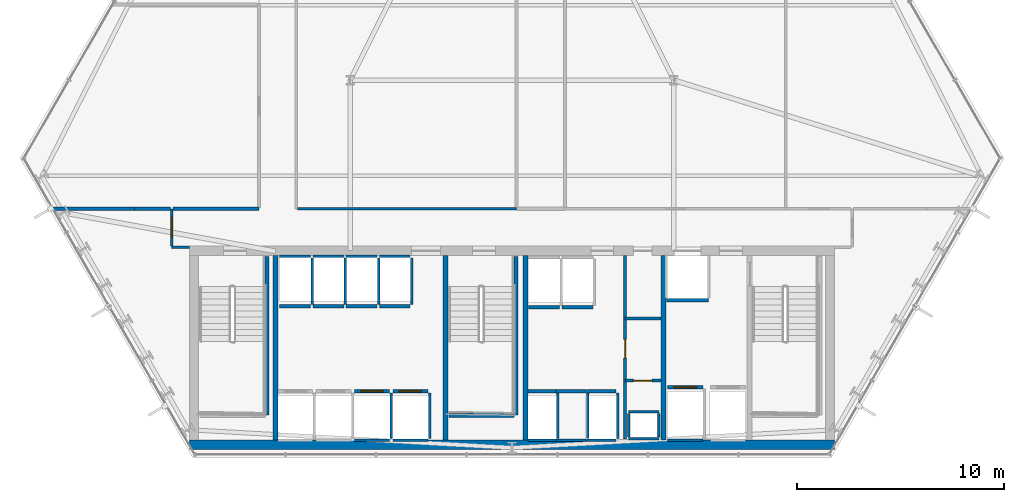
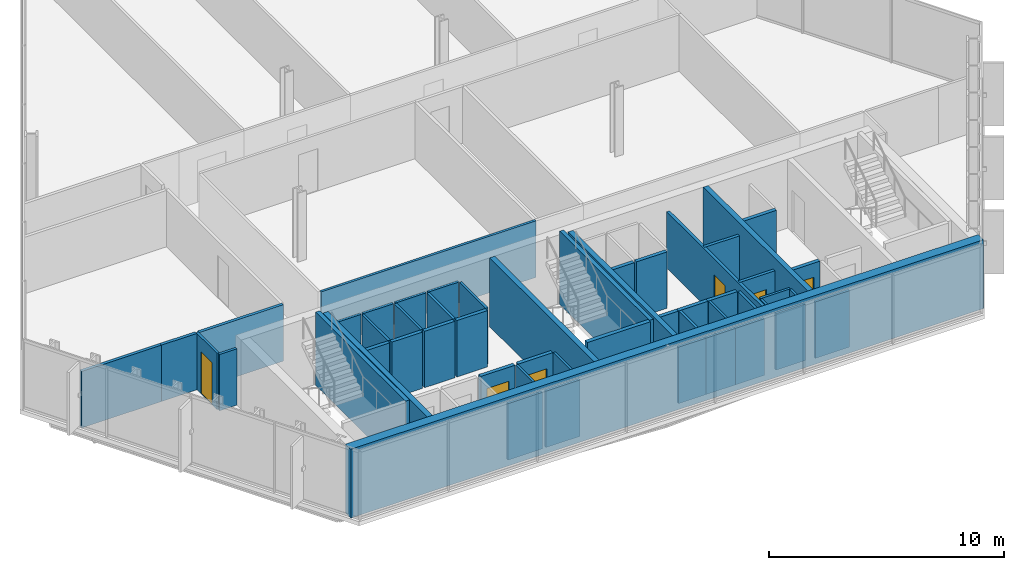
# One storey, part 27 of 33: 53 walls, 6 doors, 6 openings.
"""IFC4 building model written with IfcOpenShell, lengths in metres."""

from ifc_helpers import new_model, si_unit, direction, frame, frame_2d, origin, place, context, subcontext, project, spatial, rectangle, extrude, material, layer, layer_set, type_object, element, fill, save


model = new_model("IFC4")

# Units and contexts
model_context = context("Model", 3, precision=1e-05, world=origin(), true_north=direction((0.0, 1.0)))
body_context = subcontext(model_context, "Body", "Model", "MODEL_VIEW")
ifc_project = project(units=[si_unit("LENGTHUNIT", "METRE"), si_unit("AREAUNIT", "SQUARE_METRE"), si_unit("VOLUMEUNIT", "CUBIC_METRE"), si_unit("PLANEANGLEUNIT", "RADIAN"), si_unit("MASSUNIT", "GRAM", prefix="KILO")], contexts=[model_context])

# Site, building, storey
site_placement = place(None, origin())
site = spatial("IfcSite", under=ifc_project, at=site_placement, CompositionType="ELEMENT")
building_placement = place(site_placement, origin())
building = spatial("IfcBuilding", under=site, at=building_placement, Name="Ndaravel Arena Tower", CompositionType="ELEMENT")
storey_placement = place(building_placement, frame((0.0, 0.0, 39.800048828125)))
storey = spatial("IfcBuildingStorey", under=building, at=storey_placement, Name="L07", CompositionType="ELEMENT", Elevation=39.800048828125)

# Wall, opening, door
ifc_material_1 = material(Name="Gypsum", Category="gypsum")
ifc_layer_1 = layer(ifc_material_1, 0.14990234375)
ifc_layer_set_1 = layer_set([ifc_layer_1], Name="Gypsum")
wall_type_1 = type_object("IfcWallType", Name="WALL-COMP-150", PredefinedType="PARTITIONING", material=ifc_layer_set_1)
wall_1_placement = place(storey_placement, frame((47.449951171875, 5.89990234375, 0.0), z_axis=(0.0, 0.0, 1.0), x_axis=(0.0, 1.0, 0.0)))
wall_1 = element("IfcWall", 1, at=wall_1_placement, inside=storey, type_object=wall_type_1, Name="L07 Core Riser Bay Partition", PredefinedType="PARTITIONING", context=body_context, shape_type="SweptSolid", body=[
    extrude(rectangle(XDim=8.85009765625, YDim=0.14990234375, at=frame_2d((4.425048828125, 0.0))), origin(), (0.0, 0.0, 1.0), 2.932861328125),
])
opening_1_placement = place(wall_1_placement, frame((3.89990234375, 0.0, 0.0)))
opening_1 = element("IfcOpeningElement", 2, at=opening_1_placement, cuts=wall_1, Name="Opening RD-01", PredefinedType="OPENING", context=body_context, shape_type="SweptSolid", body=[
    extrude(rectangle(XDim=0.89990234375, YDim=2.10009765625, at=frame_2d((0.449951171875, 1.050048828125))), frame((0.0, 0.074951171875, 0.0), z_axis=(0.0, -1.0, 0.0), x_axis=(1.0, 0.0, 0.0)), (0.0, 0.0, 1.0), 0.14990234375),
])
ifc_material_2 = material(Name="Steel S355", Category="steel")
door_type_1 = type_object("IfcDoorType", Name="DT-08-RISER-900", OperationType="SINGLE_SWING_LEFT", PredefinedType="DOOR", material=ifc_material_2)
door_1_placement = place(opening_1_placement, origin())
door_1 = element("IfcDoor", 3, at=door_1_placement, inside=storey, type_object=door_type_1, Name="L07 Plumbing Riser Door", OperationType="SINGLE_SWING_LEFT", OverallHeight=2.10009765625, OverallWidth=0.89990234375, PredefinedType="DOOR", context=body_context, shape_type="SweptSolid", body=[
    extrude(rectangle(XDim=0.89990234375, YDim=2.10009765625, at=frame_2d((0.449951171875, 1.050048828125))), frame((0.0, 0.02490234375, 0.0), z_axis=(0.0, -1.0, 0.0), x_axis=(1.0, 0.0, 0.0)), (0.0, 0.0, 1.0), 0.050048828125),
])
fill(opening_1, door_1)

wall_2_placement = place(storey_placement, frame((47.449951171875, 8.719970703125, 0.0), z_axis=(0.0, 0.0, 1.0), x_axis=(1.0, 0.0, 0.0)))
wall_2 = element("IfcWall", 4, at=wall_2_placement, inside=storey, type_object=wall_type_1, Name="L07 Core Riser Divider 1", PredefinedType="PARTITIONING", context=body_context, shape_type="SweptSolid", body=[
    extrude(rectangle(XDim=1.72998046875, YDim=0.14990234375, at=frame_2d((0.864990234375, 0.0))), origin(), (0.0, 0.0, 1.0), 2.932861328125),
])
opening_2_placement = place(wall_2_placement, frame((0.39990234375, 0.0, 0.0)))
opening_2 = element("IfcOpeningElement", 5, at=opening_2_placement, cuts=wall_2, Name="Opening RD-01", PredefinedType="OPENING", context=body_context, shape_type="SweptSolid", body=[
    extrude(rectangle(XDim=0.89990234375, YDim=2.10009765625, at=frame_2d((0.449951171875, 1.050048828125))), frame((0.0, 0.074951171875, 0.0), z_axis=(0.0, -1.0, 0.0), x_axis=(1.0, 0.0, 0.0)), (0.0, 0.0, 1.0), 0.14990234375),
])
door_2_placement = place(opening_2_placement, origin())
door_2 = element("IfcDoor", 6, at=door_2_placement, inside=storey, type_object=door_type_1, Name="L07 Low-Voltage Riser Door", OperationType="SINGLE_SWING_RIGHT", OverallHeight=2.10009765625, OverallWidth=0.89990234375, PredefinedType="DOOR", context=body_context, shape_type="SweptSolid", body=[
    extrude(rectangle(XDim=0.89990234375, YDim=2.10009765625, at=frame_2d((0.449951171875, 1.050048828125))), frame((0.0, 0.02490234375, 0.0), z_axis=(0.0, -1.0, 0.0), x_axis=(1.0, 0.0, 0.0)), (0.0, 0.0, 1.0), 0.050048828125),
])
fill(opening_2, door_2)

# Walls
wall_3_placement = place(storey_placement, frame((47.449951171875, 11.719970703125, 0.0), z_axis=(0.0, 0.0, 1.0), x_axis=(1.0, 0.0, 0.0)))
element("IfcWall", 7, at=wall_3_placement, inside=storey, type_object=wall_type_1, Name="L07 Core Riser Divider 2", PredefinedType="PARTITIONING", context=body_context, shape_type="SweptSolid", body=[
    extrude(rectangle(XDim=1.72998046875, YDim=0.14990234375, at=frame_2d((0.864990234375, 0.0))), origin(), (0.0, 0.0, 1.0), 2.932861328125),
])
ifc_material_3 = material(Name="Concrete C60/75", Category="concrete")
ifc_layer_2 = layer(ifc_material_3, 0.25)
ifc_layer_set_2 = layer_set([ifc_layer_2], Name="Concrete C60/75")
wall_type_2 = type_object("IfcWallType", Name="WALL-CORE-250", PredefinedType="SOLIDWALL", material=ifc_layer_set_2)
for number, where, z_axis, x_axis, name in (
    (8, (30.60009765625, 5.85009765625, 0.0), (0.0, 0.0, 1.0), (0.0, 1.0, 0.0), "L07 Core Web Shear Wall 1"),
    (9, (38.800048828125, 5.85009765625, 0.0), (0.0, 0.0, 1.0), (0.0, 1.0, 0.0), "L07 Core Web Shear Wall 2"),
    (10, (42.64990234375, 5.85009765625, 0.0), (0.0, 0.0, 1.0), (0.0, 1.0, 0.0), "L07 Core Web Shear Wall 3"),
    (11, (49.300048828125, 5.85009765625, 0.0), (0.0, 0.0, 1.0), (0.0, 1.0, 0.0), "L07 Core Web Shear Wall 4"),
):
    element("IfcWall", number, at=place(storey_placement, frame(where, z_axis=z_axis, x_axis=x_axis)), inside=storey, type_object=wall_type_2, Name=name, PredefinedType="SOLIDWALL", context=body_context, shape_type="SweptSolid", body=[
        extrude(rectangle(XDim=8.89990234375, YDim=0.25, at=frame_2d((4.449951171875, 0.0))), origin(), (0.0, 0.0, 1.0), 3.579833984375),
    ])
ifc_material_4 = material(Name="Concrete C60/75", Category="concrete")
ifc_layer_3 = layer(ifc_material_4, 0.449951171875)
ifc_layer_set_3 = layer_set([ifc_layer_3], Name="Concrete C60/75")
wall_type_3 = type_object("IfcWallType", Name="WALL-CORE-450", PredefinedType="SOLIDWALL", material=ifc_layer_set_3)
wall_4_placement = place(storey_placement, frame((26.449951171875, 5.625, 0.0), z_axis=(0.0, 0.0, 1.0), x_axis=(1.0, 0.0, 0.0)))
element("IfcWall", 12, at=wall_4_placement, inside=storey, type_object=wall_type_3, Name="L07 Core South Shear Wall", PredefinedType="SOLIDWALL", context=body_context, shape_type="SweptSolid", body=[
    extrude(rectangle(XDim=31.10009765625, YDim=0.449951171875, at=frame_2d((15.550048828125, 0.0))), origin(), (0.0, 0.0, 1.0), 3.579833984375),
])
ifc_material_5 = material(Name="Gypsum", Category="gypsum")
ifc_layer_4 = layer(ifc_material_5, 0.125)
ifc_layer_set_4 = layer_set([ifc_layer_4], Name="Gypsum")
wall_type_4 = type_object("IfcWallType", Name="WALL-PART-125", PredefinedType="PARTITIONING", material=ifc_layer_set_4)
wall_5_placement = place(storey_placement, frame((26.449951171875, 15.14990234375, 0.0), z_axis=(0.0, 0.0, 1.0), x_axis=(-1.0, 0.0, 0.0)))
element("IfcWall", 13, at=wall_5_placement, inside=storey, type_object=wall_type_4, Name="L07 Interior Partition 003", PredefinedType="PARTITIONING", context=body_context, shape_type="SweptSolid", body=[
    extrude(rectangle(XDim=0.849853515625, YDim=0.125, at=frame_2d((0.4248046875, 0.0))), origin(), (0.0, 0.0, 1.0), 2.932861328125),
])

# Wall, opening, door
wall_6_placement = place(storey_placement, frame((25.60009765625, 15.215087890625, 0.0), z_axis=(0.0, 0.0, 1.0), x_axis=(0.0, 1.0, 0.0)))
wall_6 = element("IfcWall", 14, at=wall_6_placement, inside=storey, type_object=wall_type_4, Name="L07 Interior Partition 004", PredefinedType="PARTITIONING", context=body_context, shape_type="SweptSolid", body=[
    extrude(rectangle(XDim=1.784912109375, YDim=0.125, at=frame_2d((0.892578125, 0.0))), origin(), (0.0, 0.0, 1.0), 2.932861328125),
])
opening_3_placement = place(wall_6_placement, frame((0.41748046875, 0.0, 0.0)))
opening_3 = element("IfcOpeningElement", 15, at=opening_3_placement, cuts=wall_6, Name="Opening ID-01", PredefinedType="OPENING", context=body_context, shape_type="SweptSolid", body=[
    extrude(rectangle(XDim=0.949951171875, YDim=2.199951171875, at=frame_2d((0.47509765625, 1.10009765625))), frame((0.0, 0.0625, 0.0), z_axis=(0.0, -1.0, 0.0), x_axis=(1.0, 0.0, 0.0)), (0.0, 0.0, 1.0), 0.125),
])
ifc_material_6 = material(Name="Timber", Category="wood")
door_type_2 = type_object("IfcDoorType", Name="DT-03-OFFICE-950", OperationType="SINGLE_SWING_LEFT", PredefinedType="DOOR", material=ifc_material_6)
door_3_placement = place(opening_3_placement, origin())
door_3 = element("IfcDoor", 16, at=door_3_placement, inside=storey, type_object=door_type_2, Name="L07 Open Plan Workplace Door", OperationType="SINGLE_SWING_RIGHT", OverallHeight=2.199951171875, OverallWidth=0.949951171875, PredefinedType="DOOR", context=body_context, shape_type="SweptSolid", body=[
    extrude(rectangle(XDim=0.949951171875, YDim=2.199951171875, at=frame_2d((0.47509765625, 1.10009765625))), frame((0.0, 0.02490234375, 0.0), z_axis=(0.0, -1.0, 0.0), x_axis=(1.0, 0.0, 0.0)), (0.0, 0.0, 1.0), 0.050048828125),
])
fill(opening_3, door_3)

# Walls
wall_7_placement = place(storey_placement, frame((31.6650390625, 17.0, 0.0), z_axis=(0.0, 0.0, 1.0), x_axis=(1.0, 0.0, 0.0)))
element("IfcWall", 17, at=wall_7_placement, inside=storey, type_object=wall_type_4, Name="L07 Interior Partition 018", PredefinedType="PARTITIONING", context=body_context, shape_type="SweptSolid", body=[
    extrude(rectangle(XDim=10.554931640625, YDim=0.125, at=frame_2d((5.27734375, 0.0))), origin(), (0.0, 0.0, 1.0), 2.932861328125),
])
ifc_material_7 = material(Name="Concrete C40/50", Category="concrete")
ifc_layer_5 = layer(ifc_material_7, 0.1201171875)
ifc_layer_set_5 = layer_set([ifc_layer_5], Name="Concrete C40/50")
wall_type_5 = type_object("IfcWallType", Name="WALL-SHAFT-120", PredefinedType="SOLIDWALL", material=ifc_layer_set_5)
for number, where, z_axis, x_axis, name in (
    (18, (47.6201171875, 5.919921875, 0.0), (0.0, 0.0, 1.0), (1.0, 0.0, 0.0), "L07 MEP Riser Shaft S Wall"),
    (19, (47.6201171875, 7.219970703125, 0.0), (0.0, 0.0, 1.0), (1.0, 0.0, 0.0), "L07 MEP Riser Shaft N Wall"),
):
    element("IfcWall", number, at=place(storey_placement, frame(where, z_axis=z_axis, x_axis=x_axis)), inside=storey, type_object=wall_type_5, Name=name, PredefinedType="SOLIDWALL", context=body_context, shape_type="SweptSolid", body=[
        extrude(rectangle(XDim=1.4599609375, YDim=0.1201171875, at=frame_2d((0.72998046875, 0.0))), origin(), (0.0, 0.0, 1.0), 2.932861328125),
    ])
for number, where, z_axis, x_axis, name in (
    (20, (47.6201171875, 6.0, 0.0), (0.0, 0.0, 1.0), (0.0, 1.0, 0.0), "L07 MEP Riser Shaft W Wall"),
    (21, (49.080078125, 6.0, 0.0), (0.0, 0.0, 1.0), (0.0, 1.0, 0.0), "L07 MEP Riser Shaft E Wall"),
):
    element("IfcWall", number, at=place(storey_placement, frame(where, z_axis=z_axis, x_axis=x_axis)), inside=storey, type_object=wall_type_5, Name=name, PredefinedType="SOLIDWALL", context=body_context, shape_type="SweptSolid", body=[
        extrude(rectangle(XDim=1.139892578125, YDim=0.1201171875, at=frame_2d((0.56982421875, 0.0))), origin(), (0.0, 0.0, 1.0), 2.932861328125),
    ])
wall_8_placement = place(storey_placement, frame((34.405029296875, 5.840087890625, 0.0), z_axis=(0.0, 0.0, 1.0), x_axis=(1.0, 0.0, 0.0)))
element("IfcWall", 22, at=wall_8_placement, inside=storey, type_object=wall_type_5, Name="L07 PL-L3 Shaft Rear Wall", PredefinedType="SOLIDWALL", context=body_context, shape_type="SweptSolid", body=[
    extrude(rectangle(XDim=1.68994140625, YDim=0.1201171875, at=frame_2d((0.844970703125, 0.0))), origin(), (0.0, 0.0, 1.0), 2.932861328125),
])
wall_9_placement = place(storey_placement, frame((36.175048828125, 5.929931640625, 0.0), z_axis=(0.0, 0.0, 1.0), x_axis=(0.0, 1.0, 0.0)))
element("IfcWall", 23, at=wall_9_placement, inside=storey, type_object=wall_type_5, Name="L07 PL-L3 Shaft Side R Wall", PredefinedType="SOLIDWALL", context=body_context, shape_type="SweptSolid", body=[
    extrude(rectangle(XDim=2.18017578125, YDim=0.1201171875, at=frame_2d((1.090087890625, 0.0))), origin(), (0.0, 0.0, 1.0), 2.932861328125),
])
wall_10_placement = place(storey_placement, frame((36.2548828125, 5.840087890625, 0.0), z_axis=(0.0, 0.0, 1.0), x_axis=(1.0, 0.0, 0.0)))
element("IfcWall", 24, at=wall_10_placement, inside=storey, type_object=wall_type_5, Name="L07 PL-L4 Shaft Rear Wall", PredefinedType="SOLIDWALL", context=body_context, shape_type="SweptSolid", body=[
    extrude(rectangle(XDim=1.690185546875, YDim=0.1201171875, at=frame_2d((0.84521484375, 0.0))), origin(), (0.0, 0.0, 1.0), 2.932861328125),
])
wall_11_placement = place(storey_placement, frame((38.02490234375, 5.929931640625, 0.0), z_axis=(0.0, 0.0, 1.0), x_axis=(0.0, 1.0, 0.0)))
element("IfcWall", 25, at=wall_11_placement, inside=storey, type_object=wall_type_5, Name="L07 PL-L4 Shaft Side R Wall", PredefinedType="SOLIDWALL", context=body_context, shape_type="SweptSolid", body=[
    extrude(rectangle(XDim=2.18017578125, YDim=0.1201171875, at=frame_2d((1.090087890625, 0.0))), origin(), (0.0, 0.0, 1.0), 2.932861328125),
])
wall_12_placement = place(storey_placement, frame((30.804931640625, 14.7099609375, 0.0), z_axis=(0.0, 0.0, 1.0), x_axis=(1.0, 0.0, 0.0)))
element("IfcWall", 26, at=wall_12_placement, inside=storey, type_object=wall_type_5, Name="L07 PL-M1 Shaft Rear Wall", PredefinedType="SOLIDWALL", context=body_context, shape_type="SweptSolid", body=[
    extrude(rectangle(XDim=1.489990234375, YDim=0.1201171875, at=frame_2d((0.7451171875, 0.0))), origin(), (0.0, 0.0, 1.0), 2.932861328125),
])
wall_13_placement = place(storey_placement, frame((32.375, 12.389892578125, 0.0), z_axis=(0.0, 0.0, 1.0), x_axis=(0.0, 1.0, 0.0)))
element("IfcWall", 27, at=wall_13_placement, inside=storey, type_object=wall_type_5, Name="L07 PL-M1 Shaft Side R Wall", PredefinedType="SOLIDWALL", context=body_context, shape_type="SweptSolid", body=[
    extrude(rectangle(XDim=2.230224609375, YDim=0.1201171875, at=frame_2d((1.115234375, 0.0))), origin(), (0.0, 0.0, 1.0), 2.932861328125),
])
wall_14_placement = place(storey_placement, frame((32.405029296875, 14.7099609375, 0.0), z_axis=(0.0, 0.0, 1.0), x_axis=(1.0, 0.0, 0.0)))
element("IfcWall", 28, at=wall_14_placement, inside=storey, type_object=wall_type_5, Name="L07 PL-M2 Shaft Rear Wall", PredefinedType="SOLIDWALL", context=body_context, shape_type="SweptSolid", body=[
    extrude(rectangle(XDim=1.489990234375, YDim=0.1201171875, at=frame_2d((0.7451171875, 0.0))), origin(), (0.0, 0.0, 1.0), 2.932861328125),
])
wall_15_placement = place(storey_placement, frame((33.97509765625, 12.389892578125, 0.0), z_axis=(0.0, 0.0, 1.0), x_axis=(0.0, 1.0, 0.0)))
element("IfcWall", 29, at=wall_15_placement, inside=storey, type_object=wall_type_5, Name="L07 PL-M2 Shaft Side R Wall", PredefinedType="SOLIDWALL", context=body_context, shape_type="SweptSolid", body=[
    extrude(rectangle(XDim=2.230224609375, YDim=0.1201171875, at=frame_2d((1.115234375, 0.0))), origin(), (0.0, 0.0, 1.0), 2.932861328125),
])
wall_16_placement = place(storey_placement, frame((34.0048828125, 14.7099609375, 0.0), z_axis=(0.0, 0.0, 1.0), x_axis=(1.0, 0.0, 0.0)))
element("IfcWall", 30, at=wall_16_placement, inside=storey, type_object=wall_type_5, Name="L07 PL-M3 Shaft Rear Wall", PredefinedType="SOLIDWALL", context=body_context, shape_type="SweptSolid", body=[
    extrude(rectangle(XDim=1.490234375, YDim=0.1201171875, at=frame_2d((0.7451171875, 0.0))), origin(), (0.0, 0.0, 1.0), 2.932861328125),
])
wall_17_placement = place(storey_placement, frame((35.574951171875, 12.389892578125, 0.0), z_axis=(0.0, 0.0, 1.0), x_axis=(0.0, 1.0, 0.0)))
element("IfcWall", 31, at=wall_17_placement, inside=storey, type_object=wall_type_5, Name="L07 PL-M3 Shaft Side R Wall", PredefinedType="SOLIDWALL", context=body_context, shape_type="SweptSolid", body=[
    extrude(rectangle(XDim=2.230224609375, YDim=0.1201171875, at=frame_2d((1.115234375, 0.0))), origin(), (0.0, 0.0, 1.0), 2.932861328125),
])
wall_18_placement = place(storey_placement, frame((35.60498046875, 14.7099609375, 0.0), z_axis=(0.0, 0.0, 1.0), x_axis=(1.0, 0.0, 0.0)))
element("IfcWall", 32, at=wall_18_placement, inside=storey, type_object=wall_type_5, Name="L07 PL-M4 Shaft Rear Wall", PredefinedType="SOLIDWALL", context=body_context, shape_type="SweptSolid", body=[
    extrude(rectangle(XDim=1.489990234375, YDim=0.1201171875, at=frame_2d((0.7451171875, 0.0))), origin(), (0.0, 0.0, 1.0), 2.932861328125),
])
wall_19_placement = place(storey_placement, frame((37.175048828125, 12.389892578125, 0.0), z_axis=(0.0, 0.0, 1.0), x_axis=(0.0, 1.0, 0.0)))
element("IfcWall", 33, at=wall_19_placement, inside=storey, type_object=wall_type_5, Name="L07 PL-M4 Shaft Side R Wall", PredefinedType="SOLIDWALL", context=body_context, shape_type="SweptSolid", body=[
    extrude(rectangle(XDim=2.230224609375, YDim=0.1201171875, at=frame_2d((1.115234375, 0.0))), origin(), (0.0, 0.0, 1.0), 2.932861328125),
])
wall_20_placement = place(storey_placement, frame((42.780029296875, 5.840087890625, 0.0), z_axis=(0.0, 0.0, 1.0), x_axis=(1.0, 0.0, 0.0)))
element("IfcWall", 34, at=wall_20_placement, inside=storey, type_object=wall_type_5, Name="L07 PL-H1 Shaft Rear Wall", PredefinedType="SOLIDWALL", context=body_context, shape_type="SweptSolid", body=[
    extrude(rectangle(XDim=1.340087890625, YDim=0.1201171875, at=frame_2d((0.669921875, 0.0))), origin(), (0.0, 0.0, 1.0), 2.932861328125),
])
wall_21_placement = place(storey_placement, frame((44.199951171875, 5.929931640625, 0.0), z_axis=(0.0, 0.0, 1.0), x_axis=(0.0, 1.0, 0.0)))
element("IfcWall", 35, at=wall_21_placement, inside=storey, type_object=wall_type_5, Name="L07 PL-H1 Shaft Side R Wall", PredefinedType="SOLIDWALL", context=body_context, shape_type="SweptSolid", body=[
    extrude(rectangle(XDim=2.18017578125, YDim=0.1201171875, at=frame_2d((1.090087890625, 0.0))), origin(), (0.0, 0.0, 1.0), 2.932861328125),
])
wall_22_placement = place(storey_placement, frame((44.1298828125, 5.840087890625, 0.0), z_axis=(0.0, 0.0, 1.0), x_axis=(1.0, 0.0, 0.0)))
element("IfcWall", 36, at=wall_22_placement, inside=storey, type_object=wall_type_5, Name="L07 PL-H2 Shaft Rear Wall", PredefinedType="SOLIDWALL", context=body_context, shape_type="SweptSolid", body=[
    extrude(rectangle(XDim=1.440185546875, YDim=0.1201171875, at=frame_2d((0.72021484375, 0.0))), origin(), (0.0, 0.0, 1.0), 2.932861328125),
])
wall_23_placement = place(storey_placement, frame((45.64990234375, 5.929931640625, 0.0), z_axis=(0.0, 0.0, 1.0), x_axis=(0.0, 1.0, 0.0)))
element("IfcWall", 37, at=wall_23_placement, inside=storey, type_object=wall_type_5, Name="L07 PL-H2 Shaft Side R Wall", PredefinedType="SOLIDWALL", context=body_context, shape_type="SweptSolid", body=[
    extrude(rectangle(XDim=2.18017578125, YDim=0.1201171875, at=frame_2d((1.090087890625, 0.0))), origin(), (0.0, 0.0, 1.0), 2.932861328125),
])
wall_24_placement = place(storey_placement, frame((45.580078125, 5.840087890625, 0.0), z_axis=(0.0, 0.0, 1.0), x_axis=(1.0, 0.0, 0.0)))
element("IfcWall", 38, at=wall_24_placement, inside=storey, type_object=wall_type_5, Name="L07 PL-H3 Shaft Rear Wall", PredefinedType="SOLIDWALL", context=body_context, shape_type="SweptSolid", body=[
    extrude(rectangle(XDim=1.43994140625, YDim=0.1201171875, at=frame_2d((0.719970703125, 0.0))), origin(), (0.0, 0.0, 1.0), 2.932861328125),
])
wall_25_placement = place(storey_placement, frame((47.10009765625, 5.929931640625, 0.0), z_axis=(0.0, 0.0, 1.0), x_axis=(0.0, 1.0, 0.0)))
element("IfcWall", 39, at=wall_25_placement, inside=storey, type_object=wall_type_5, Name="L07 PL-H3 Shaft Side R Wall", PredefinedType="SOLIDWALL", context=body_context, shape_type="SweptSolid", body=[
    extrude(rectangle(XDim=2.18017578125, YDim=0.1201171875, at=frame_2d((1.090087890625, 0.0))), origin(), (0.0, 0.0, 1.0), 2.932861328125),
])
wall_26_placement = place(storey_placement, frame((49.5048828125, 5.840087890625, 0.0), z_axis=(0.0, 0.0, 1.0), x_axis=(1.0, 0.0, 0.0)))
element("IfcWall", 40, at=wall_26_placement, inside=storey, type_object=wall_type_5, Name="L07 FFL-1 Shaft Rear Wall", PredefinedType="SOLIDWALL", context=body_context, shape_type="SweptSolid", body=[
    extrude(rectangle(XDim=1.690185546875, YDim=0.1201171875, at=frame_2d((0.84521484375, 0.0))), origin(), (0.0, 0.0, 1.0), 2.932861328125),
])
ifc_material_8 = material(Name="Concrete C40/50", Category="concrete")
ifc_layer_6 = layer(ifc_material_8, 0.199951171875)
ifc_layer_set_6 = layer_set([ifc_layer_6], Name="Concrete C40/50")
wall_type_6 = type_object("IfcWallType", Name="WALL-SHAFT-200", PredefinedType="SOLIDWALL", material=ifc_layer_set_6)
for number, where, z_axis, x_axis, name in (
    (41, (30.18994140625, 14.699951171875, 0.0), (0.0, 0.0, 1.0), (0.0, -1.0, 0.0), "L07 ST-1 Structural Shaft Wall Right"),
    (42, (42.18994140625, 14.699951171875, 0.0), (0.0, 0.0, 1.0), (0.0, -1.0, 0.0), "L07 ST-2 Structural Shaft Wall Right"),
):
    element("IfcWall", number, at=place(storey_placement, frame(where, z_axis=z_axis, x_axis=x_axis)), inside=storey, type_object=wall_type_6, Name=name, PredefinedType="SOLIDWALL", context=body_context, shape_type="SweptSolid", body=[
        extrude(rectangle(XDim=7.64990234375, YDim=0.199951171875, at=frame_2d((3.824951171875, 0.0))), origin(), (0.0, 0.0, 1.0), 3.800048828125),
    ])
wall_27_placement = place(storey_placement, frame((38.969970703125, 7.050048828125, 0.0), z_axis=(0.0, 0.0, 1.0), x_axis=(1.0, 0.0, 0.0)))
element("IfcWall", 43, at=wall_27_placement, inside=storey, type_object=wall_type_6, Name="L07 ST-2 Structural Shaft Wall Far", PredefinedType="SOLIDWALL", context=body_context, shape_type="SweptSolid", body=[
    extrude(rectangle(XDim=3.114990234375, YDim=0.199951171875, at=frame_2d((1.5576171875, 0.0))), origin(), (0.0, 0.0, 1.0), 3.800048828125),
])

# Wall, opening, door
wall_28_placement = place(storey_placement, frame((34.405029296875, 8.199951171875, 0.0), z_axis=(0.0, 0.0, 1.0), x_axis=(1.0, 0.0, 0.0)))
wall_28 = element("IfcWall", 44, at=wall_28_placement, inside=storey, type_object=wall_type_6, Name="L07 PL-L3 Shaft Landing Wall", PredefinedType="SOLIDWALL", context=body_context, shape_type="SweptSolid", body=[
    extrude(rectangle(XDim=1.68994140625, YDim=0.179931640625, at=frame_2d((0.844970703125, 0.0))), origin(), (0.0, 0.0, 1.0), 2.932861328125),
])
opening_4_placement = place(wall_28_placement, frame((0.294921875, 0.0, 0.0)))
opening_4 = element("IfcOpeningElement", 45, at=opening_4_placement, cuts=wall_28, Name="Opening LD-01", PredefinedType="OPENING", context=body_context, shape_type="SweptSolid", body=[
    extrude(rectangle(XDim=1.10009765625, YDim=2.199951171875, at=frame_2d((0.550048828125, 1.10009765625))), frame((0.0, 0.08984375, 0.0), z_axis=(0.0, -1.0, 0.0), x_axis=(1.0, 0.0, 0.0)), (0.0, 0.0, 1.0), 0.179931640625),
])
ifc_material_9 = material(Name="Steel S355", Category="steel")
door_type_3 = type_object("IfcDoorType", Name="DT-06-LIFT-1100", OperationType="SLIDING_TO_LEFT", PredefinedType="DOOR", material=ifc_material_9)
door_4_placement = place(opening_4_placement, origin())
door_4 = element("IfcDoor", 46, at=door_4_placement, inside=storey, type_object=door_type_3, Name="L07 Lift PL-L3 Sliding Landing Door", OperationType="SLIDING_TO_LEFT", OverallHeight=2.199951171875, OverallWidth=1.10009765625, PredefinedType="DOOR", context=body_context, shape_type="SweptSolid", body=[
    extrude(rectangle(XDim=1.10009765625, YDim=2.199951171875, at=frame_2d((0.550048828125, 1.10009765625))), frame((0.0, 0.02490234375, 0.0), z_axis=(0.0, -1.0, 0.0), x_axis=(1.0, 0.0, 0.0)), (0.0, 0.0, 1.0), 0.050048828125),
])
fill(opening_4, door_4)

wall_29_placement = place(storey_placement, frame((36.2548828125, 8.199951171875, 0.0), z_axis=(0.0, 0.0, 1.0), x_axis=(1.0, 0.0, 0.0)))
wall_29 = element("IfcWall", 47, at=wall_29_placement, inside=storey, type_object=wall_type_6, Name="L07 PL-L4 Shaft Landing Wall", PredefinedType="SOLIDWALL", context=body_context, shape_type="SweptSolid", body=[
    extrude(rectangle(XDim=1.690185546875, YDim=0.179931640625, at=frame_2d((0.84521484375, 0.0))), origin(), (0.0, 0.0, 1.0), 2.932861328125),
])
opening_5_placement = place(wall_29_placement, frame((0.294921875, 0.0, 0.0)))
opening_5 = element("IfcOpeningElement", 48, at=opening_5_placement, cuts=wall_29, Name="Opening LD-01", PredefinedType="OPENING", context=body_context, shape_type="SweptSolid", body=[
    extrude(rectangle(XDim=1.10009765625, YDim=2.199951171875, at=frame_2d((0.550048828125, 1.10009765625))), frame((0.0, 0.08984375, 0.0), z_axis=(0.0, -1.0, 0.0), x_axis=(1.0, 0.0, 0.0)), (0.0, 0.0, 1.0), 0.179931640625),
])
door_5_placement = place(opening_5_placement, origin())
door_5 = element("IfcDoor", 49, at=door_5_placement, inside=storey, type_object=door_type_3, Name="L07 Lift PL-L4 Sliding Landing Door", OperationType="SLIDING_TO_LEFT", OverallHeight=2.199951171875, OverallWidth=1.10009765625, PredefinedType="DOOR", context=body_context, shape_type="SweptSolid", body=[
    extrude(rectangle(XDim=1.10009765625, YDim=2.199951171875, at=frame_2d((0.550048828125, 1.10009765625))), frame((0.0, 0.02490234375, 0.0), z_axis=(0.0, -1.0, 0.0), x_axis=(1.0, 0.0, 0.0)), (0.0, 0.0, 1.0), 0.050048828125),
])
fill(opening_5, door_5)

# Walls
for number, where, z_axis, x_axis, name in (
    (50, (30.804931640625, 12.300048828125, 0.0), (0.0, 0.0, 1.0), (1.0, 0.0, 0.0), "L07 PL-M1 Shaft Landing Wall"),
    (51, (32.405029296875, 12.300048828125, 0.0), (0.0, 0.0, 1.0), (1.0, 0.0, 0.0), "L07 PL-M2 Shaft Landing Wall"),
):
    element("IfcWall", number, at=place(storey_placement, frame(where, z_axis=z_axis, x_axis=x_axis)), inside=storey, type_object=wall_type_6, Name=name, PredefinedType="SOLIDWALL", context=body_context, shape_type="SweptSolid", body=[
        extrude(rectangle(XDim=1.489990234375, YDim=0.179931640625, at=frame_2d((0.7451171875, 0.0))), origin(), (0.0, 0.0, 1.0), 2.932861328125),
    ])
wall_30_placement = place(storey_placement, frame((34.0048828125, 12.300048828125, 0.0), z_axis=(0.0, 0.0, 1.0), x_axis=(1.0, 0.0, 0.0)))
element("IfcWall", 52, at=wall_30_placement, inside=storey, type_object=wall_type_6, Name="L07 PL-M3 Shaft Landing Wall", PredefinedType="SOLIDWALL", context=body_context, shape_type="SweptSolid", body=[
    extrude(rectangle(XDim=1.490234375, YDim=0.179931640625, at=frame_2d((0.7451171875, 0.0))), origin(), (0.0, 0.0, 1.0), 2.932861328125),
])
wall_31_placement = place(storey_placement, frame((35.60498046875, 12.300048828125, 0.0), z_axis=(0.0, 0.0, 1.0), x_axis=(1.0, 0.0, 0.0)))
element("IfcWall", 53, at=wall_31_placement, inside=storey, type_object=wall_type_6, Name="L07 PL-M4 Shaft Landing Wall", PredefinedType="SOLIDWALL", context=body_context, shape_type="SweptSolid", body=[
    extrude(rectangle(XDim=1.489990234375, YDim=0.179931640625, at=frame_2d((0.7451171875, 0.0))), origin(), (0.0, 0.0, 1.0), 2.932861328125),
])
wall_32_placement = place(storey_placement, frame((42.780029296875, 8.199951171875, 0.0), z_axis=(0.0, 0.0, 1.0), x_axis=(1.0, 0.0, 0.0)))
element("IfcWall", 54, at=wall_32_placement, inside=storey, type_object=wall_type_6, Name="L07 PL-H1 Shaft Landing Wall", PredefinedType="SOLIDWALL", context=body_context, shape_type="SweptSolid", body=[
    extrude(rectangle(XDim=1.340087890625, YDim=0.179931640625, at=frame_2d((0.669921875, 0.0))), origin(), (0.0, 0.0, 1.0), 2.932861328125),
])
wall_33_placement = place(storey_placement, frame((44.1298828125, 8.199951171875, 0.0), z_axis=(0.0, 0.0, 1.0), x_axis=(1.0, 0.0, 0.0)))
element("IfcWall", 55, at=wall_33_placement, inside=storey, type_object=wall_type_6, Name="L07 PL-H2 Shaft Landing Wall", PredefinedType="SOLIDWALL", context=body_context, shape_type="SweptSolid", body=[
    extrude(rectangle(XDim=1.440185546875, YDim=0.179931640625, at=frame_2d((0.72021484375, 0.0))), origin(), (0.0, 0.0, 1.0), 2.932861328125),
])
wall_34_placement = place(storey_placement, frame((45.580078125, 8.199951171875, 0.0), z_axis=(0.0, 0.0, 1.0), x_axis=(1.0, 0.0, 0.0)))
element("IfcWall", 56, at=wall_34_placement, inside=storey, type_object=wall_type_6, Name="L07 PL-H3 Shaft Landing Wall", PredefinedType="SOLIDWALL", context=body_context, shape_type="SweptSolid", body=[
    extrude(rectangle(XDim=1.43994140625, YDim=0.179931640625, at=frame_2d((0.719970703125, 0.0))), origin(), (0.0, 0.0, 1.0), 2.932861328125),
])
for number, where, z_axis, x_axis, name in (
    (57, (42.804931640625, 12.25, 0.0), (0.0, 0.0, 1.0), (1.0, 0.0, 0.0), "L07 PL-OBS1 Shaft Landing Wall"),
    (58, (44.405029296875, 12.25, 0.0), (0.0, 0.0, 1.0), (1.0, 0.0, 0.0), "L07 PL-OBS2 Shaft Landing Wall"),
):
    element("IfcWall", number, at=place(storey_placement, frame(where, z_axis=z_axis, x_axis=x_axis)), inside=storey, type_object=wall_type_6, Name=name, PredefinedType="SOLIDWALL", context=body_context, shape_type="SweptSolid", body=[
        extrude(rectangle(XDim=1.489990234375, YDim=0.179931640625, at=frame_2d((0.7451171875, 0.0))), origin(), (0.0, 0.0, 1.0), 2.932861328125),
    ])

# Wall, opening, door
wall_35_placement = place(storey_placement, frame((49.5048828125, 8.39990234375, 0.0), z_axis=(0.0, 0.0, 1.0), x_axis=(1.0, 0.0, 0.0)))
wall_35 = element("IfcWall", 59, at=wall_35_placement, inside=storey, type_object=wall_type_6, Name="L07 FFL-1 Shaft Landing Wall", PredefinedType="SOLIDWALL", context=body_context, shape_type="SweptSolid", body=[
    extrude(rectangle(XDim=1.690185546875, YDim=0.179931640625, at=frame_2d((0.84521484375, 0.0))), origin(), (0.0, 0.0, 1.0), 2.932861328125),
])
opening_6_placement = place(wall_35_placement, frame((0.294921875, 0.0, 0.0)))
opening_6 = element("IfcOpeningElement", 60, at=opening_6_placement, cuts=wall_35, Name="Opening LD-01", PredefinedType="OPENING", context=body_context, shape_type="SweptSolid", body=[
    extrude(rectangle(XDim=1.10009765625, YDim=2.199951171875, at=frame_2d((0.550048828125, 1.10009765625))), frame((0.0, 0.08984375, 0.0), z_axis=(0.0, -1.0, 0.0), x_axis=(1.0, 0.0, 0.0)), (0.0, 0.0, 1.0), 0.179931640625),
])
door_6_placement = place(opening_6_placement, origin())
door_6 = element("IfcDoor", 61, at=door_6_placement, inside=storey, type_object=door_type_3, Name="L07 Lift FFL-1 Sliding Landing Door", OperationType="SLIDING_TO_LEFT", OverallHeight=2.199951171875, OverallWidth=1.10009765625, PredefinedType="DOOR", context=body_context, shape_type="SweptSolid", body=[
    extrude(rectangle(XDim=1.10009765625, YDim=2.199951171875, at=frame_2d((0.550048828125, 1.10009765625))), frame((0.0, 0.02490234375, 0.0), z_axis=(0.0, -1.0, 0.0), x_axis=(1.0, 0.0, 0.0)), (0.0, 0.0, 1.0), 0.050048828125),
])
fill(opening_6, door_6)

# Walls
wall_36_placement = place(storey_placement, frame((49.43994140625, 12.594970703125, 0.0), z_axis=(0.0, 0.0, 1.0), x_axis=(1.0, 0.0, 0.0)))
element("IfcWall", 62, at=wall_36_placement, inside=storey, type_object=wall_type_6, Name="L07 SVL-1 Shaft South Wall", PredefinedType="SOLIDWALL", context=body_context, shape_type="SweptSolid", body=[
    extrude(rectangle(XDim=2.0400390625, YDim=0.179931640625, at=frame_2d((1.02001953125, 0.0))), origin(), (0.0, 0.0, 1.0), 2.932861328125),
])
ifc_material_10 = material(Name="Masonry", Category="masonry")
ifc_layer_7 = layer(ifc_material_10, 0.14990234375)
ifc_layer_set_7 = layer_set([ifc_layer_7], Name="Masonry")
wall_type_7 = type_object("IfcWallType", Name="WALL-WET-150", PredefinedType="PARTITIONING", material=ifc_layer_set_7)
wall_37_placement = place(storey_placement, frame((25.6650390625, 17.0, 0.0), z_axis=(0.0, 0.0, 1.0), x_axis=(1.0, 0.0, 0.0)))
element("IfcWall", 63, at=wall_37_placement, inside=storey, type_object=wall_type_7, Name="L07 Interior Partition 005", PredefinedType="PARTITIONING", context=body_context, shape_type="SweptSolid", body=[
    extrude(rectangle(XDim=4.135009765625, YDim=0.14990234375, at=frame_2d((2.0673828125, 0.0))), origin(), (0.0, 0.0, 1.0), 2.932861328125),
])
wall_38_placement = place(storey_placement, frame((19.8759765625, 17.0, 0.0), z_axis=(0.0, 0.0, 1.0), x_axis=(1.0, 0.0, 0.0)))
element("IfcWall", 64, at=wall_38_placement, inside=storey, type_object=wall_type_7, Name="L07 Interior Partition 022", PredefinedType="PARTITIONING", context=body_context, shape_type="SweptSolid", body=[
    extrude(rectangle(XDim=3.924072265625, YDim=0.14990234375, at=frame_2d((1.9619140625, 0.0))), origin(), (0.0, 0.0, 1.0), 2.932861328125),
])
wall_39_placement = place(storey_placement, frame((23.800048828125, 17.0, 0.0), z_axis=(0.0, 0.0, 1.0), x_axis=(1.0, 0.0, 0.0)))
element("IfcWall", 65, at=wall_39_placement, inside=storey, type_object=wall_type_7, Name="L07 Interior Partition 023", PredefinedType="PARTITIONING", context=body_context, shape_type="SweptSolid", body=[
    extrude(rectangle(XDim=1.73486328125, YDim=0.14990234375, at=frame_2d((0.867431640625, 0.0))), origin(), (0.0, 0.0, 1.0), 2.932861328125),
])

save(model, "model.ifc")
